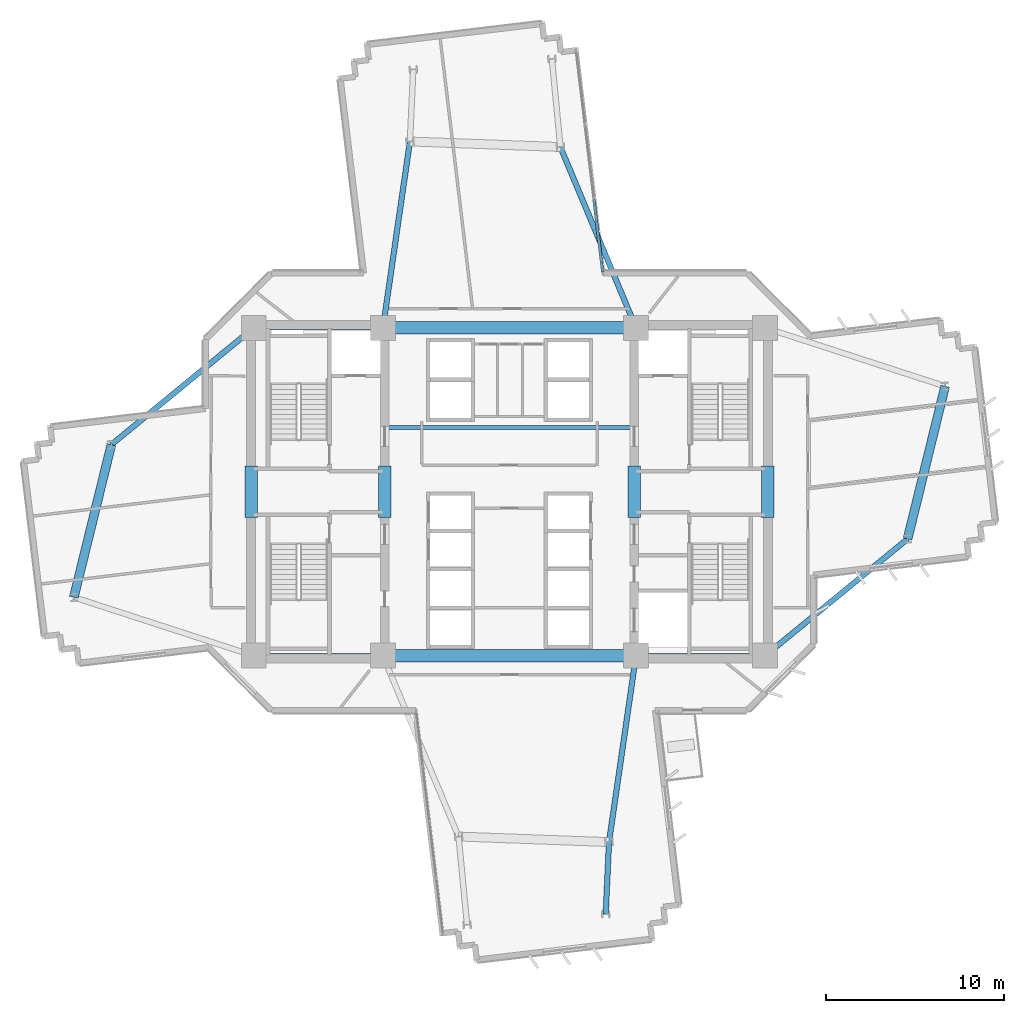
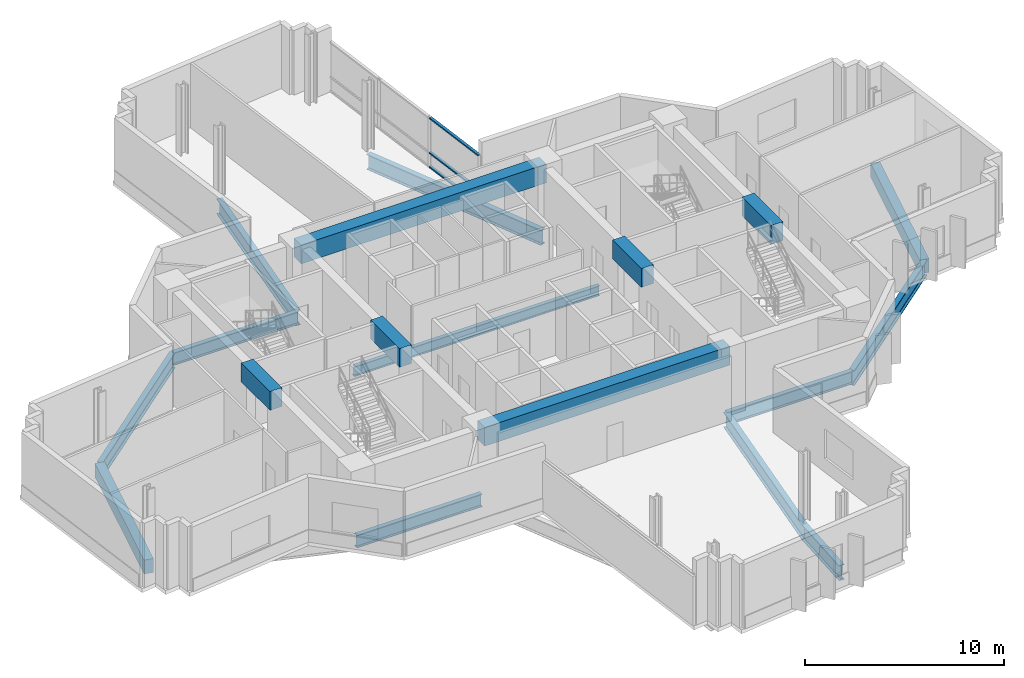
# One storey, part 3 of 15: 18 beams, 3 members, 1 element without a shape of its own.
"""IFC4 building model written with IfcOpenShell, lengths in metres."""

from ifc_helpers import new_model, si_unit, direction, frame, origin, origin_2d, place, context, subcontext, project, spatial, rectangle, i_section, extrude, source, transform, mapped, material, layer, layer_set, material_profile, profile_set, type_object, element, aggregate, save


model = new_model("IFC4")

# Units and contexts
model_context = context("Model", 3, precision=1e-05, world=origin(), true_north=direction((0.0, 1.0)))
body_context = subcontext(model_context, "Body", "Model", "MODEL_VIEW")
ifc_project = project(units=[si_unit("LENGTHUNIT", "METRE"), si_unit("AREAUNIT", "SQUARE_METRE"), si_unit("VOLUMEUNIT", "CUBIC_METRE"), si_unit("PLANEANGLEUNIT", "RADIAN"), si_unit("MASSUNIT", "GRAM", prefix="KILO")], contexts=[model_context])

# Site, building, storey
site_placement = place(None, origin())
site = spatial("IfcSite", under=ifc_project, at=site_placement, CompositionType="ELEMENT")
building_placement = place(site_placement, origin())
building = spatial("IfcBuilding", under=site, at=building_placement, Name="Zahravan Cultural Tower", CompositionType="ELEMENT")
storey_placement = place(building_placement, frame((0.0, 0.0, 108.89990234375)))
storey = spatial("IfcBuildingStorey", under=building, at=storey_placement, Name="L24", CompositionType="ELEMENT", Elevation=108.89990234375)

# Beams
ifc_material_1 = material(Name="Concrete C50/60", Category="concrete")
ifc_material_profile_1 = material_profile(ifc_material_1, rectangle(XDim=0.699951171875, YDim=1.14990234375, at=origin_2d()), Name="RC700X1150")
ifc_profile_set_1 = profile_set([ifc_material_profile_1], Name="Concrete C50/60")
beam_type_1 = type_object("IfcBeamType", Name="BM-LN-RC700X1150", PredefinedType="LINTEL", material=ifc_profile_set_1)
shared_shape_1 = source(origin(), body_context, "Body", "SweptSolid", [
    extrude(rectangle(XDim=0.699951171875, YDim=1.14990234375, at=origin_2d()), origin(), (0.0, 0.0, 1.0), 14.2001953125),
])
for number, where, z_axis, x_axis, name in (
    (1, (28.89990234375, 17.800048828125, 3.375), (1.0, 0.0, 0.0), (0.0, 1.0, 0.0), "L24 Beam LN-L24-S"),
    (2, (28.89990234375, 36.199951171875, 3.375), (1.0, 0.0, 0.0), (0.0, 1.0, 0.0), "L24 Beam LN-L24-N"),
):
    element("IfcBeam", number, at=place(storey_placement, frame(where, z_axis=z_axis, x_axis=x_axis)), inside=storey, type_object=beam_type_1, Name=name, PredefinedType="LINTEL", context=body_context, shape_type="MappedRepresentation", body=[
        mapped(shared_shape_1, transform((0.0, 0.0, 0.0), x_axis=(1.0, 0.0, 0.0), y_axis=(0.0, 1.0, 0.0), z_axis=(0.0, 0.0, 1.0), scale=1.0)),
    ])
shared_shape_2 = source(origin(), body_context, "Body", "SweptSolid", [
    extrude(rectangle(XDim=0.699951171875, YDim=1.14990234375, at=origin_2d()), origin(), (0.0, 0.0, 1.0), 2.89990234375),
])
for number, where, z_axis, x_axis, name in (
    (3, (21.5, 25.550048828125, 3.375), (0.0, 1.0, 0.0), (-1.0, 0.0, 0.0), "L24 Beam LN-L24-PWW"),
    (4, (29.0, 25.550048828125, 3.375), (0.0, 1.0, 0.0), (-1.0, 0.0, 0.0), "L24 Beam LN-L24-PWE"),
    (5, (43.0, 25.550048828125, 3.375), (0.0, 1.0, 0.0), (-1.0, 0.0, 0.0), "L24 Beam LN-L24-PEW"),
    (6, (50.5, 25.550048828125, 3.375), (0.0, 1.0, 0.0), (-1.0, 0.0, 0.0), "L24 Beam LN-L24-PEE"),
):
    element("IfcBeam", number, at=place(storey_placement, frame(where, z_axis=z_axis, x_axis=x_axis)), inside=storey, type_object=beam_type_1, Name=name, PredefinedType="LINTEL", context=body_context, shape_type="MappedRepresentation", body=[
        mapped(shared_shape_2, transform((0.0, 0.0, 0.0), x_axis=(1.0, 0.0, 0.0), y_axis=(0.0, 1.0, 0.0), z_axis=(0.0, 0.0, 1.0), scale=1.0)),
    ])
ifc_material_2 = material(Name="Steel ASTM A992 Grade 50", Category="steel")
ifc_material_profile_2 = material_profile(ifc_material_2, i_section(OverallWidth=0.26611328125, OverallDepth=0.780029296875, WebThickness=0.0166015625, FlangeThickness=0.030029296875, FilletRadius=0.01904296875, at=origin_2d()), Name="W30X148")
ifc_profile_set_2 = profile_set([ifc_material_profile_2], Name="Steel ASTM A992 Grade 50")
beam_type_2 = type_object("IfcBeamType", Name="BM-G-W30X148", PredefinedType="BEAM", material=ifc_profile_set_2)
shared_shape_3 = source(origin(), body_context, "Body", "SweptSolid", [
    extrude(i_section(OverallWidth=0.26611328125, OverallDepth=0.780029296875, WebThickness=0.0166015625, FlangeThickness=0.030029296875, FilletRadius=0.01904296875, at=origin_2d()), origin(), (0.0, 0.0, 1.0), 7.25),
])
for number, where, z_axis, x_axis, name in (
    (7, (21.64990234375, 17.800048828125, -0.639892578125), (1.0, 0.0, 0.0), (0.0, 1.0, 0.0), "L24 Beam BG-L24-01"),
    (8, (21.64990234375, 36.199951171875, -0.639892578125), (1.0, 0.0, 0.0), (0.0, 1.0, 0.0), "L24 Beam BG-L24-02"),
    (9, (43.10009765625, 17.800048828125, -0.639892578125), (1.0, 0.0, 0.0), (0.0, 1.0, 0.0), "L24 Beam BG-L24-04"),
):
    element("IfcBeam", number, at=place(storey_placement, frame(where, z_axis=z_axis, x_axis=x_axis)), inside=storey, type_object=beam_type_2, Name=name, PredefinedType="BEAM", context=body_context, shape_type="MappedRepresentation", body=[
        mapped(shared_shape_3, transform((0.0, 0.0, 0.0), x_axis=(1.0, 0.0, 0.0), y_axis=(0.0, 1.0, 0.0), z_axis=(0.0, 0.0, 1.0), scale=1.0)),
    ])
ifc_material_profile_3 = material_profile(ifc_material_2, i_section(OverallWidth=0.30908203125, OverallDepth=0.931884765625, WebThickness=0.02099609375, FlangeThickness=0.034423828125, FilletRadius=0.02392578125, at=origin_2d()), Name="W36X210")
ifc_profile_set_3 = profile_set([ifc_material_profile_3], Name="Steel ASTM A992 Grade 50")
beam_type_3 = type_object("IfcBeamType", Name="BM-G-W36X210", PredefinedType="BEAM", material=ifc_profile_set_3)
shared_shape_4 = source(origin(), body_context, "Body", "SweptSolid", [
    extrude(i_section(OverallWidth=0.30908203125, OverallDepth=0.931884765625, WebThickness=0.02099609375, FlangeThickness=0.034423828125, FilletRadius=0.02392578125, at=origin_2d()), origin(), (0.0, 0.0, 1.0), 10.997802734375),
])
beam_1_placement = place(storey_placement, frame((43.10009765625, 36.199951171875, -0.7158203125), z_axis=(-0.385775211449, 0.922592806297, 0.0), x_axis=(-0.922592806297, -0.385775211449, 0.0)))
element("IfcBeam", 10, at=beam_1_placement, inside=storey, type_object=beam_type_3, Name="L24 Beam BG-L24-12", PredefinedType="BEAM", context=body_context, shape_type="MappedRepresentation", body=[
    mapped(shared_shape_4, transform((0.0, 0.0, 0.0), x_axis=(1.0, 0.0, 0.0), y_axis=(0.0, 1.0, 0.0), z_axis=(0.0, 0.0, 1.0), scale=1.0)),
])
shared_shape_5 = source(origin(), body_context, "Body", "SweptSolid", [
    extrude(i_section(OverallWidth=0.30908203125, OverallDepth=0.931884765625, WebThickness=0.02099609375, FlangeThickness=0.034423828125, FilletRadius=0.02392578125, at=origin_2d()), origin(), (0.0, 0.0, 1.0), 10.5673828125),
])
for number, where, z_axis, x_axis, name in (
    (11, (43.10009765625, 17.800048828125, -0.7158203125), (-0.143377913539, -0.989668011966, 0.0), (0.989668011966, -0.143377913539, 0.0), "L24 Beam BG-L24-09"),
    (12, (28.89990234375, 36.199951171875, -0.7158203125), (0.143377913539, 0.989668011966, 0.0), (-0.989668011966, 0.143377913539, 0.0), "L24 Beam BG-L24-13"),
):
    element("IfcBeam", number, at=place(storey_placement, frame(where, z_axis=z_axis, x_axis=x_axis)), inside=storey, type_object=beam_type_3, Name=name, PredefinedType="BEAM", context=body_context, shape_type="MappedRepresentation", body=[
        mapped(shared_shape_5, transform((0.0, 0.0, 0.0), x_axis=(1.0, 0.0, 0.0), y_axis=(0.0, 1.0, 0.0), z_axis=(0.0, 0.0, 1.0), scale=1.0)),
    ])
shared_shape_6 = source(origin(), body_context, "Body", "SweptSolid", [
    extrude(i_section(OverallWidth=0.30908203125, OverallDepth=0.931884765625, WebThickness=0.02099609375, FlangeThickness=0.034423828125, FilletRadius=0.02392578125, at=origin_2d()), origin(), (0.0, 0.0, 1.0), 10.33203125),
])
for number, where, z_axis, x_axis, name in (
    (13, (50.35009765625, 17.800048828125, -0.7158203125), (0.773231409473, 0.634123952713, 0.0), (-0.634123952713, 0.773231409473, 0.0), "L24 Beam BG-L24-10"),
    (14, (21.64990234375, 36.199951171875, -0.7158203125), (-0.773231409473, -0.634123952713, 0.0), (0.634123952713, -0.773231409473, 0.0), "L24 Beam BG-L24-14"),
):
    element("IfcBeam", number, at=place(storey_placement, frame(where, z_axis=z_axis, x_axis=x_axis)), inside=storey, type_object=beam_type_3, Name=name, PredefinedType="BEAM", context=body_context, shape_type="MappedRepresentation", body=[
        mapped(shared_shape_6, transform((0.0, 0.0, 0.0), x_axis=(1.0, 0.0, 0.0), y_axis=(0.0, 1.0, 0.0), z_axis=(0.0, 0.0, 1.0), scale=1.0)),
    ])
shared_shape_7 = source(origin(), body_context, "Body", "SweptSolid", [
    extrude(i_section(OverallWidth=0.30908203125, OverallDepth=0.931884765625, WebThickness=0.02099609375, FlangeThickness=0.034423828125, FilletRadius=0.02392578125, at=origin_2d()), origin(), (0.0, 0.0, 1.0), 4.0537109375),
])
beam_2_placement = place(storey_placement, frame((41.5849609375, 7.341796875, -0.7158203125), z_axis=(-0.045770994677, -0.998951958828, 0.0), x_axis=(0.998951958828, -0.045770994677, 0.0)))
element("IfcBeam", 15, at=beam_2_placement, inside=storey, type_object=beam_type_3, Name="L24 Beam BG-L24-18", PredefinedType="BEAM", context=body_context, shape_type="MappedRepresentation", body=[
    mapped(shared_shape_7, transform((0.0, 0.0, 0.0), x_axis=(1.0, 0.0, 0.0), y_axis=(0.0, 1.0, 0.0), z_axis=(0.0, 0.0, 1.0), scale=1.0)),
])
ifc_material_profile_4 = material_profile(ifc_material_1, rectangle(XDim=0.5, YDim=0.85009765625, at=origin_2d()), Name="RC500X850")
ifc_profile_set_4 = profile_set([ifc_material_profile_4], Name="Concrete C50/60")
beam_type_4 = type_object("IfcBeamType", Name="BM-SP-RC500X850", PredefinedType="SPANDREL", material=ifc_profile_set_4)
shared_shape_8 = source(origin(), body_context, "Body", "SweptSolid", [
    extrude(rectangle(XDim=0.5, YDim=0.85009765625, at=origin_2d()), origin(), (0.0, 0.0, 1.0), 8.8232421875),
])
for number, where, z_axis, x_axis, name in (
    (16, (58.339111328125, 24.351806640625, -0.6748046875), (0.238848860516, 0.971056755206, 0.0), (-0.971056755206, 0.238848860516, 0.0), "L24 Beam SP-L24-20"),
    (17, (13.660888671875, 29.648193359375, -0.6748046875), (-0.238848860516, -0.971056755206, 0.0), (0.971056755206, -0.238848860516, 0.0), "L24 Beam SP-L24-22"),
):
    element("IfcBeam", number, at=place(storey_placement, frame(where, z_axis=z_axis, x_axis=x_axis)), inside=storey, type_object=beam_type_4, Name=name, PredefinedType="SPANDREL", context=body_context, shape_type="MappedRepresentation", body=[
        mapped(shared_shape_8, transform((0.0, 0.0, 0.0), x_axis=(1.0, 0.0, 0.0), y_axis=(0.0, 1.0, 0.0), z_axis=(0.0, 0.0, 1.0), scale=1.0)),
    ])
ifc_material_profile_5 = material_profile(ifc_material_2, i_section(OverallWidth=0.22802734375, OverallDepth=0.60302734375, WebThickness=0.010498046875, FlangeThickness=0.014892578125, FilletRadius=0.014892578125, at=origin_2d()), Name="W24X68")
ifc_profile_set_5 = profile_set([ifc_material_profile_5], Name="Steel ASTM A992 Grade 50")
beam_type_5 = type_object("IfcBeamType", Name="BM-J-W24X68", PredefinedType="JOIST", material=ifc_profile_set_5)
shared_shape_9 = source(origin(), body_context, "Body", "SweptSolid", [
    extrude(i_section(OverallWidth=0.22802734375, OverallDepth=0.60302734375, WebThickness=0.010498046875, FlangeThickness=0.014892578125, FilletRadius=0.014892578125, at=origin_2d()), origin(), (0.0, 0.0, 1.0), 14.2001953125),
])
beam_3_placement = place(storey_placement, frame((28.89990234375, 30.60009765625, -0.551513671875), z_axis=(1.0, 0.0, 0.0), x_axis=(0.0, 1.0, 0.0)))
element("IfcBeam", 18, at=beam_3_placement, inside=storey, type_object=beam_type_5, Name="L24 Beam BJ-L24-23", PredefinedType="JOIST", context=body_context, shape_type="MappedRepresentation", body=[
    mapped(shared_shape_9, transform((0.0, 0.0, 0.0), x_axis=(1.0, 0.0, 0.0), y_axis=(0.0, 1.0, 0.0), z_axis=(0.0, 0.0, 1.0), scale=1.0)),
])

# Curtain wall, members
ifc_material_3 = material(Name="Anodised bronze-aluminium mullion", Category="aluminium")
ifc_layer = layer(ifc_material_3, 0.219970703125)
ifc_layer_set = layer_set([ifc_layer], Name="Anodised bronze-aluminium mullion")
curtain_wall_type = type_object("IfcCurtainWallType", Name="CW-SYS-1", PredefinedType="USERDEFINED", material=ifc_layer_set)
curtain_wall_placement = place(storey_placement, origin())
curtain_wall = element("IfcCurtainWall", 19, at=curtain_wall_placement, inside=storey, type_object=curtain_wall_type, Name="L24 Recessed Curtain Wall CW-1.2", ObjectType="RECESSED GLAZING", PredefinedType="USERDEFINED")
ifc_material_profile_6 = material_profile(ifc_material_3, rectangle(XDim=0.159912109375, YDim=0.080078125, at=origin_2d()), Name="AL-T80X160")
ifc_profile_set_6 = profile_set([ifc_material_profile_6], Name="Anodised bronze-aluminium mullion")
member_type = type_object("IfcMemberType", Name="CWT-CW-1", PredefinedType="USERDEFINED", material=ifc_profile_set_6)
shared_shape_10 = source(origin(), body_context, "Body", "SweptSolid", [
    extrude(rectangle(XDim=0.159912109375, YDim=0.080078125, at=origin_2d()), origin(), (0.0, 0.0, 1.0), 4.083740234375),
])
member_1_placement = place(storey_placement, frame((40.7412109375, 43.39404296875, 0.0400390625), z_axis=(0.119088643022, -0.992883626163, 0.0), x_axis=(0.992883626163, 0.119088643022, 0.0)))
member_1 = element("IfcMember", 20, at=member_1_placement, type_object=member_type, Name="CW-1 transom 3.1", ObjectType="TRANSOM", PredefinedType="USERDEFINED", context=body_context, shape_type="MappedRepresentation", body=[
    mapped(shared_shape_10, transform((0.0, 0.0, 0.0), x_axis=(1.0, 0.0, 0.0), y_axis=(0.0, 1.0, 0.0), z_axis=(0.0, 0.0, 1.0), scale=1.0)),
])
member_2_placement = place(storey_placement, frame((40.7412109375, 43.39404296875, 0.900146484375), z_axis=(0.119088643022, -0.992883626163, 0.0), x_axis=(0.992883626163, 0.119088643022, 0.0)))
member_2 = element("IfcMember", 21, at=member_2_placement, type_object=member_type, Name="CW-1 transom 3.2", ObjectType="TRANSOM", PredefinedType="USERDEFINED", context=body_context, shape_type="MappedRepresentation", body=[
    mapped(shared_shape_10, transform((0.0, 0.0, 0.0), x_axis=(1.0, 0.0, 0.0), y_axis=(0.0, 1.0, 0.0), z_axis=(0.0, 0.0, 1.0), scale=1.0)),
])
member_3_placement = place(storey_placement, frame((40.7412109375, 43.39404296875, 3.030029296875), z_axis=(0.119088643022, -0.992883626163, 0.0), x_axis=(0.992883626163, 0.119088643022, 0.0)))
member_3 = element("IfcMember", 22, at=member_3_placement, type_object=member_type, Name="CW-1 transom 3.3", ObjectType="TRANSOM", PredefinedType="USERDEFINED", context=body_context, shape_type="MappedRepresentation", body=[
    mapped(shared_shape_10, transform((0.0, 0.0, 0.0), x_axis=(1.0, 0.0, 0.0), y_axis=(0.0, 1.0, 0.0), z_axis=(0.0, 0.0, 1.0), scale=1.0)),
])
aggregate(curtain_wall, [member_1, member_2, member_3])

save(model, "model.ifc")
